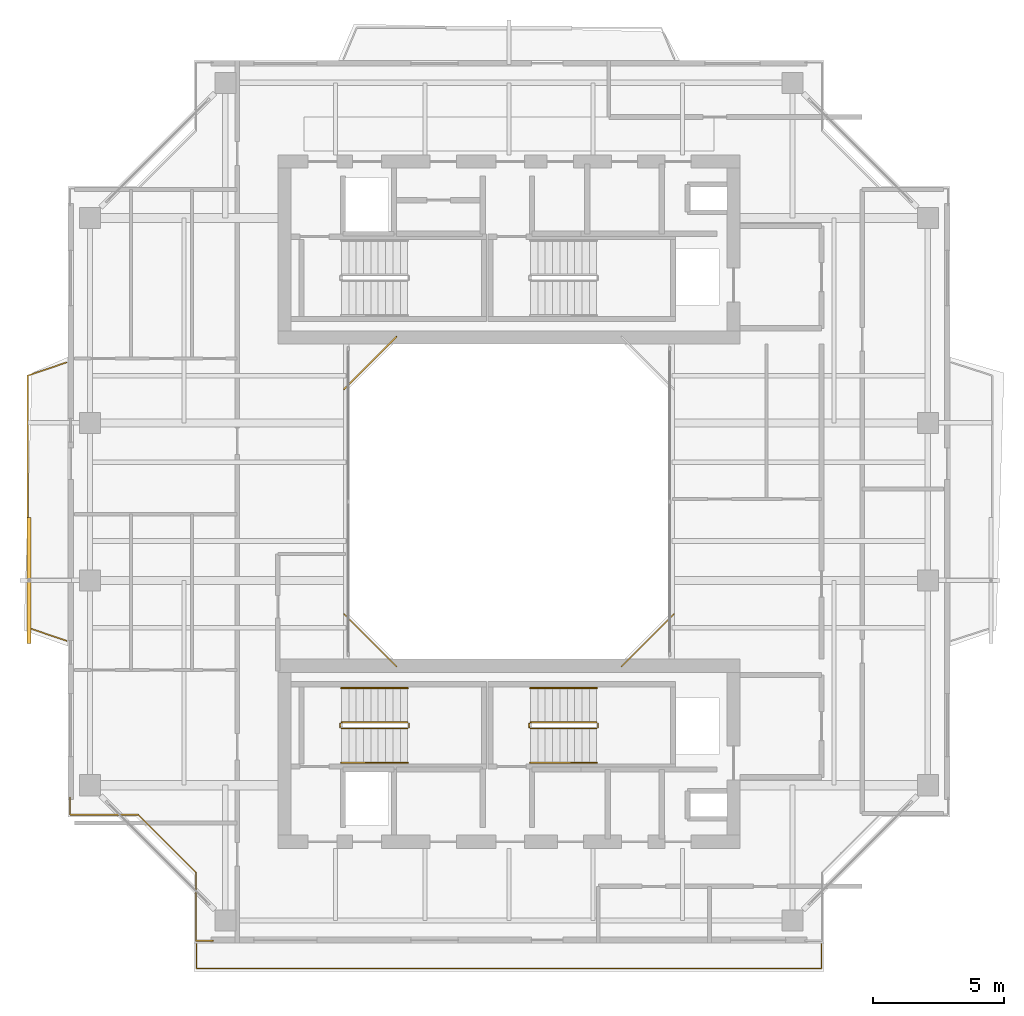
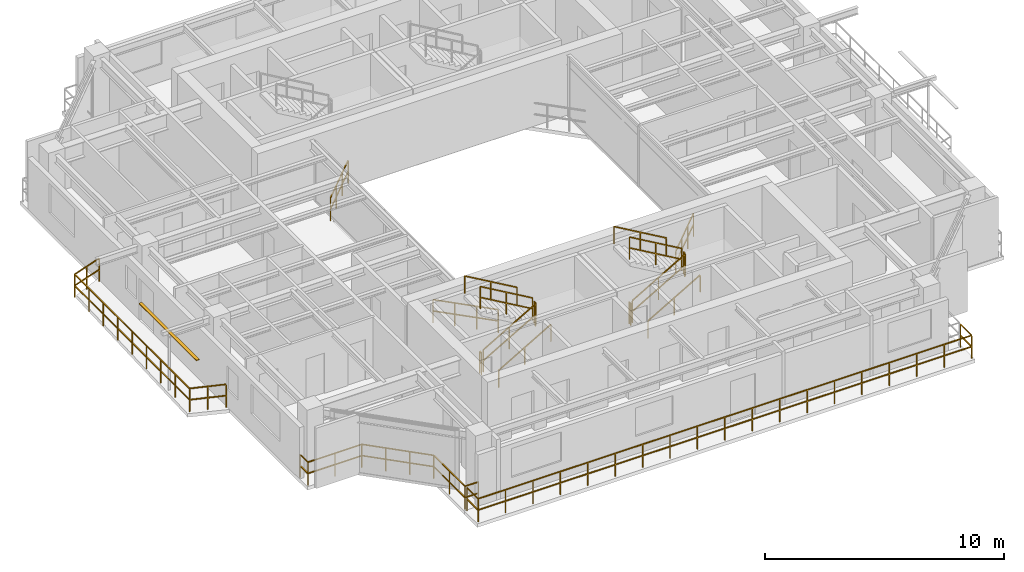
# One storey, part 14 of 16: 18 railings, 1 shading device.
"""IFC4 building model written with IfcOpenShell, lengths in metres."""

from ifc_helpers import new_model, si_unit, direction, frame, origin, origin_2d, place, context, subcontext, project, spatial, rectangle, extrude, source, transform, mapped, material, material_profile, profile_set, type_object, element, save


model = new_model("IFC4")

# Units and contexts
model_context = context("Model", 3, precision=1e-05, world=origin(), true_north=direction((0.0, 1.0)))
body_context = subcontext(model_context, "Body", "Model", "MODEL_VIEW")
ifc_project = project(units=[si_unit("LENGTHUNIT", "METRE"), si_unit("AREAUNIT", "SQUARE_METRE"), si_unit("VOLUMEUNIT", "CUBIC_METRE"), si_unit("PLANEANGLEUNIT", "RADIAN"), si_unit("MASSUNIT", "GRAM", prefix="KILO"), si_unit("THERMODYNAMICTEMPERATUREUNIT", "KELVIN"), si_unit("POWERUNIT", "WATT")], contexts=[model_context])

# Site, building, storey
site_placement = place(None, origin())
site = spatial("IfcSite", under=ifc_project, at=site_placement, CompositionType="ELEMENT")
building_placement = place(site_placement, origin())
building = spatial("IfcBuilding", under=site, at=building_placement, Name="Qiaomeng Ring Towers", CompositionType="ELEMENT")
storey_placement = place(building_placement, frame((0.0, 0.0, 190.5)))
storey = spatial("IfcBuildingStorey", under=building, at=storey_placement, Name="L55", CompositionType="ELEMENT", Elevation=190.5)

# Railings
ifc_material_1 = material(Name="Low-E pale-green laminated safety glass", Category="glass")
railing_type_1 = type_object("IfcRailingType", Name="ARC-RL-BAL1", PredefinedType="BALUSTRADE", material=ifc_material_1)
railing_1_placement = place(storey_placement, frame((23.280029296875, 16.719970703125, 0.0)))
element("IfcRailing", 1, at=railing_1_placement, inside=storey, type_object=railing_type_1, Name="L55 Balustrade ARC-BAL-WELL1-L55-1", PredefinedType="BALUSTRADE", context=body_context, shape_type="SweptSolid", body=[
    extrude(rectangle(XDim=0.048095703125, YDim=0.048095703125, at=origin_2d()), frame((0.0, 0.0, 1.17578125), z_axis=(0.707106781187, 0.707106781187, 0.0), x_axis=(-0.707106781187, 0.707106781187, 0.0)), (0.0, 0.0, 1.0), 2.828369140625),
    extrude(rectangle(XDim=0.048095703125, YDim=0.048095703125, at=origin_2d()), frame((0.0, 0.0, 0.60009765625), z_axis=(0.707106781187, 0.707106781187, 0.0), x_axis=(-0.707106781187, 0.707106781187, 0.0)), (0.0, 0.0, 1.0), 2.828369140625),
    extrude(rectangle(XDim=0.0419921875, YDim=0.0419921875, at=origin_2d()), origin(), (0.0, 0.0, 1.0), 1.15185546875),
    extrude(rectangle(XDim=0.0419921875, YDim=0.0419921875, at=origin_2d()), frame((0.666748046875, 0.666748046875, 0.0)), (0.0, 0.0, 1.0), 1.15185546875),
    extrude(rectangle(XDim=0.0419921875, YDim=0.0419921875, at=origin_2d()), frame((1.333251953125, 1.333251953125, 0.0)), (0.0, 0.0, 1.0), 1.15185546875),
    extrude(rectangle(XDim=0.0419921875, YDim=0.0419921875, at=origin_2d()), frame((2.0, 2.0, 0.0)), (0.0, 0.0, 1.0), 1.15185546875),
])
railing_2_placement = place(storey_placement, frame((14.719970703125, 29.280029296875, 0.0)))
element("IfcRailing", 2, at=railing_2_placement, inside=storey, type_object=railing_type_1, Name="L55 Balustrade ARC-BAL-WELL1-L55-3", PredefinedType="BALUSTRADE", context=body_context, shape_type="SweptSolid", body=[
    extrude(rectangle(XDim=0.048095703125, YDim=0.048095703125, at=origin_2d()), frame((0.0, 0.0, 1.17578125), z_axis=(-0.707106781187, -0.707106781187, 0.0), x_axis=(0.707106781187, -0.707106781187, 0.0)), (0.0, 0.0, 1.0), 2.828369140625),
    extrude(rectangle(XDim=0.048095703125, YDim=0.048095703125, at=origin_2d()), frame((0.0, 0.0, 0.60009765625), z_axis=(-0.707106781187, -0.707106781187, 0.0), x_axis=(0.707106781187, -0.707106781187, 0.0)), (0.0, 0.0, 1.0), 2.828369140625),
    extrude(rectangle(XDim=0.0419921875, YDim=0.0419921875, at=origin_2d()), origin(), (0.0, 0.0, 1.0), 1.15185546875),
    extrude(rectangle(XDim=0.0419921875, YDim=0.0419921875, at=origin_2d()), frame((-0.666748046875, -0.666748046875, 0.0)), (0.0, 0.0, 1.0), 1.15185546875),
    extrude(rectangle(XDim=0.0419921875, YDim=0.0419921875, at=origin_2d()), frame((-1.333251953125, -1.333251953125, 0.0)), (0.0, 0.0, 1.0), 1.15185546875),
    extrude(rectangle(XDim=0.0419921875, YDim=0.0419921875, at=origin_2d()), frame((-2.0, -2.0, 0.0)), (0.0, 0.0, 1.0), 1.15185546875),
])
railing_3_placement = place(storey_placement, frame((12.719970703125, 18.719970703125, 0.0)))
element("IfcRailing", 3, at=railing_3_placement, inside=storey, type_object=railing_type_1, Name="L55 Balustrade ARC-BAL-WELL1-L55-4", PredefinedType="BALUSTRADE", context=body_context, shape_type="SweptSolid", body=[
    extrude(rectangle(XDim=0.048095703125, YDim=0.048095703125, at=origin_2d()), frame((0.0, 0.0, 1.17578125), z_axis=(0.707106781187, -0.707106781187, 0.0), x_axis=(0.707106781187, 0.707106781187, 0.0)), (0.0, 0.0, 1.0), 2.828369140625),
    extrude(rectangle(XDim=0.048095703125, YDim=0.048095703125, at=origin_2d()), frame((0.0, 0.0, 0.60009765625), z_axis=(0.707106781187, -0.707106781187, 0.0), x_axis=(0.707106781187, 0.707106781187, 0.0)), (0.0, 0.0, 1.0), 2.828369140625),
    extrude(rectangle(XDim=0.0419921875, YDim=0.0419921875, at=origin_2d()), origin(), (0.0, 0.0, 1.0), 1.15185546875),
    extrude(rectangle(XDim=0.0419921875, YDim=0.0419921875, at=origin_2d()), frame((0.666748046875, -0.666748046875, 0.0)), (0.0, 0.0, 1.0), 1.15185546875),
    extrude(rectangle(XDim=0.0419921875, YDim=0.0419921875, at=origin_2d()), frame((1.333251953125, -1.333251953125, 0.0)), (0.0, 0.0, 1.0), 1.15185546875),
    extrude(rectangle(XDim=0.0419921875, YDim=0.0419921875, at=origin_2d()), frame((2.0, -2.0, 0.0)), (0.0, 0.0, 1.0), 1.15185546875),
])
railing_4_placement = place(storey_placement, frame((2.280029296875, 11.72998046875, 0.0)))
element("IfcRailing", 4, at=railing_4_placement, inside=storey, type_object=railing_type_1, Name="L55 Balustrade ARC-BAL-NOTCH1-L55-SW", PredefinedType="BALUSTRADE", context=body_context, shape_type="SweptSolid", body=[
    extrude(rectangle(XDim=0.048095703125, YDim=0.048095703125, at=origin_2d()), frame((0.0, 0.0, 1.17578125), z_axis=(0.0, -1.0, 0.0), x_axis=(1.0, 0.0, 0.0)), (0.0, 0.0, 1.0), 0.64990234375),
    extrude(rectangle(XDim=0.048095703125, YDim=0.048095703125, at=origin_2d()), frame((0.0, 0.0, 0.60009765625), z_axis=(0.0, -1.0, 0.0), x_axis=(1.0, 0.0, 0.0)), (0.0, 0.0, 1.0), 0.64990234375),
    extrude(rectangle(XDim=0.048095703125, YDim=0.048095703125, at=origin_2d()), frame((0.0, -0.64990234375, 1.17578125), z_axis=(1.0, 0.0, 0.0), x_axis=(0.0, 1.0, 0.0)), (0.0, 0.0, 1.0), 2.599853515625),
    extrude(rectangle(XDim=0.048095703125, YDim=0.048095703125, at=origin_2d()), frame((0.0, -0.64990234375, 0.60009765625), z_axis=(1.0, 0.0, 0.0), x_axis=(0.0, 1.0, 0.0)), (0.0, 0.0, 1.0), 2.599853515625),
    extrude(rectangle(XDim=0.048095703125, YDim=0.048095703125, at=origin_2d()), frame((2.599853515625, -0.64990234375, 1.17578125), z_axis=(0.707106781187, -0.707106781187, 0.0), x_axis=(0.707106781187, 0.707106781187, 0.0)), (0.0, 0.0, 1.0), 3.111572265625),
    extrude(rectangle(XDim=0.048095703125, YDim=0.048095703125, at=origin_2d()), frame((2.599853515625, -0.64990234375, 0.60009765625), z_axis=(0.707106781187, -0.707106781187, 0.0), x_axis=(0.707106781187, 0.707106781187, 0.0)), (0.0, 0.0, 1.0), 3.111572265625),
    extrude(rectangle(XDim=0.048095703125, YDim=0.048095703125, at=origin_2d()), frame((4.800048828125, -2.85009765625, 1.17578125), z_axis=(0.0, -1.0, 0.0), x_axis=(1.0, 0.0, 0.0)), (0.0, 0.0, 1.0), 2.599853515625),
    extrude(rectangle(XDim=0.048095703125, YDim=0.048095703125, at=origin_2d()), frame((4.800048828125, -2.85009765625, 0.60009765625), z_axis=(0.0, -1.0, 0.0), x_axis=(1.0, 0.0, 0.0)), (0.0, 0.0, 1.0), 2.599853515625),
    extrude(rectangle(XDim=0.048095703125, YDim=0.048095703125, at=origin_2d()), frame((4.800048828125, -5.449951171875, 1.17578125), z_axis=(1.0, 0.0, 0.0), x_axis=(0.0, 1.0, 0.0)), (0.0, 0.0, 1.0), 0.64990234375),
    extrude(rectangle(XDim=0.048095703125, YDim=0.048095703125, at=origin_2d()), frame((4.800048828125, -5.449951171875, 0.60009765625), z_axis=(1.0, 0.0, 0.0), x_axis=(0.0, 1.0, 0.0)), (0.0, 0.0, 1.0), 0.64990234375),
    extrude(rectangle(XDim=0.0419921875, YDim=0.0419921875, at=origin_2d()), origin(), (0.0, 0.0, 1.0), 1.15185546875),
    extrude(rectangle(XDim=0.0419921875, YDim=0.0419921875, at=origin_2d()), frame((0.0, -0.64990234375, 0.0)), (0.0, 0.0, 1.0), 1.15185546875),
    extrude(rectangle(XDim=0.0419921875, YDim=0.0419921875, at=origin_2d()), frame((1.2998046875, -0.64990234375, 0.0)), (0.0, 0.0, 1.0), 1.15185546875),
    extrude(rectangle(XDim=0.0419921875, YDim=0.0419921875, at=origin_2d()), frame((2.599853515625, -0.64990234375, 0.0)), (0.0, 0.0, 1.0), 1.15185546875),
    extrude(rectangle(XDim=0.0419921875, YDim=0.0419921875, at=origin_2d()), frame((3.333251953125, -1.38330078125, 0.0)), (0.0, 0.0, 1.0), 1.15185546875),
    extrude(rectangle(XDim=0.0419921875, YDim=0.0419921875, at=origin_2d()), frame((4.066650390625, -2.11669921875, 0.0)), (0.0, 0.0, 1.0), 1.15185546875),
    extrude(rectangle(XDim=0.0419921875, YDim=0.0419921875, at=origin_2d()), frame((4.800048828125, -2.85009765625, 0.0)), (0.0, 0.0, 1.0), 1.15185546875),
    extrude(rectangle(XDim=0.0419921875, YDim=0.0419921875, at=origin_2d()), frame((4.800048828125, -4.14990234375, 0.0)), (0.0, 0.0, 1.0), 1.15185546875),
    extrude(rectangle(XDim=0.0419921875, YDim=0.0419921875, at=origin_2d()), frame((4.800048828125, -5.449951171875, 0.0)), (0.0, 0.0, 1.0), 1.15185546875),
    extrude(rectangle(XDim=0.0419921875, YDim=0.0419921875, at=origin_2d()), frame((5.449951171875, -5.449951171875, 0.0)), (0.0, 0.0, 1.0), 1.15185546875),
])
railing_5_placement = place(storey_placement, frame((7.10009765625, 6.14990234375, 0.0)))
element("IfcRailing", 5, at=railing_5_placement, inside=storey, type_object=railing_type_1, Name="L55 Balustrade ARC-BAL-L55-SETBACK", PredefinedType="BALUSTRADE", context=body_context, shape_type="SweptSolid", body=[
    extrude(rectangle(XDim=0.048095703125, YDim=0.048095703125, at=origin_2d()), frame((0.0, 0.0, 1.17578125), z_axis=(0.0, -1.0, 0.0), x_axis=(1.0, 0.0, 0.0)), (0.0, 0.0, 1.0), 0.929931640625),
    extrude(rectangle(XDim=0.048095703125, YDim=0.048095703125, at=origin_2d()), frame((0.0, 0.0, 0.60009765625), z_axis=(0.0, -1.0, 0.0), x_axis=(1.0, 0.0, 0.0)), (0.0, 0.0, 1.0), 0.929931640625),
    extrude(rectangle(XDim=0.048095703125, YDim=0.048095703125, at=origin_2d()), frame((0.0, -0.929931640625, 1.17578125), z_axis=(1.0, 0.0, 0.0), x_axis=(0.0, 1.0, 0.0)), (0.0, 0.0, 1.0), 23.7998046875),
    extrude(rectangle(XDim=0.048095703125, YDim=0.048095703125, at=origin_2d()), frame((0.0, -0.929931640625, 0.60009765625), z_axis=(1.0, 0.0, 0.0), x_axis=(0.0, 1.0, 0.0)), (0.0, 0.0, 1.0), 23.7998046875),
    extrude(rectangle(XDim=0.048095703125, YDim=0.048095703125, at=origin_2d()), frame((23.7998046875, -0.929931640625, 1.17578125), z_axis=(0.0, 1.0, 0.0), x_axis=(-1.0, 0.0, 0.0)), (0.0, 0.0, 1.0), 0.929931640625),
    extrude(rectangle(XDim=0.048095703125, YDim=0.048095703125, at=origin_2d()), frame((23.7998046875, -0.929931640625, 0.60009765625), z_axis=(0.0, 1.0, 0.0), x_axis=(-1.0, 0.0, 0.0)), (0.0, 0.0, 1.0), 0.929931640625),
    extrude(rectangle(XDim=0.0419921875, YDim=0.0419921875, at=origin_2d()), origin(), (0.0, 0.0, 1.0), 1.15185546875),
    extrude(rectangle(XDim=0.0419921875, YDim=0.0419921875, at=origin_2d()), frame((0.0, -0.929931640625, 0.0)), (0.0, 0.0, 1.0), 1.15185546875),
    extrude(rectangle(XDim=0.0419921875, YDim=0.0419921875, at=origin_2d()), frame((1.322265625, -0.929931640625, 0.0)), (0.0, 0.0, 1.0), 1.15185546875),
    extrude(rectangle(XDim=0.0419921875, YDim=0.0419921875, at=origin_2d()), frame((2.64453125, -0.929931640625, 0.0)), (0.0, 0.0, 1.0), 1.15185546875),
    extrude(rectangle(XDim=0.0419921875, YDim=0.0419921875, at=origin_2d()), frame((3.966552734375, -0.929931640625, 0.0)), (0.0, 0.0, 1.0), 1.15185546875),
    extrude(rectangle(XDim=0.0419921875, YDim=0.0419921875, at=origin_2d()), frame((5.288818359375, -0.929931640625, 0.0)), (0.0, 0.0, 1.0), 1.15185546875),
    extrude(rectangle(XDim=0.0419921875, YDim=0.0419921875, at=origin_2d()), frame((6.611083984375, -0.929931640625, 0.0)), (0.0, 0.0, 1.0), 1.15185546875),
    extrude(rectangle(XDim=0.0419921875, YDim=0.0419921875, at=origin_2d()), frame((7.933349609375, -0.929931640625, 0.0)), (0.0, 0.0, 1.0), 1.15185546875),
    extrude(rectangle(XDim=0.0419921875, YDim=0.0419921875, at=origin_2d()), frame((9.25537109375, -0.929931640625, 0.0)), (0.0, 0.0, 1.0), 1.15185546875),
    extrude(rectangle(XDim=0.0419921875, YDim=0.0419921875, at=origin_2d()), frame((10.57763671875, -0.929931640625, 0.0)), (0.0, 0.0, 1.0), 1.15185546875),
    extrude(rectangle(XDim=0.0419921875, YDim=0.0419921875, at=origin_2d()), frame((11.89990234375, -0.929931640625, 0.0)), (0.0, 0.0, 1.0), 1.15185546875),
    extrude(rectangle(XDim=0.0419921875, YDim=0.0419921875, at=origin_2d()), frame((13.22216796875, -0.929931640625, 0.0)), (0.0, 0.0, 1.0), 1.15185546875),
    extrude(rectangle(XDim=0.0419921875, YDim=0.0419921875, at=origin_2d()), frame((14.54443359375, -0.929931640625, 0.0)), (0.0, 0.0, 1.0), 1.15185546875),
    extrude(rectangle(XDim=0.0419921875, YDim=0.0419921875, at=origin_2d()), frame((15.866455078125, -0.929931640625, 0.0)), (0.0, 0.0, 1.0), 1.15185546875),
    extrude(rectangle(XDim=0.0419921875, YDim=0.0419921875, at=origin_2d()), frame((17.188720703125, -0.929931640625, 0.0)), (0.0, 0.0, 1.0), 1.15185546875),
    extrude(rectangle(XDim=0.0419921875, YDim=0.0419921875, at=origin_2d()), frame((18.510986328125, -0.929931640625, 0.0)), (0.0, 0.0, 1.0), 1.15185546875),
    extrude(rectangle(XDim=0.0419921875, YDim=0.0419921875, at=origin_2d()), frame((19.833251953125, -0.929931640625, 0.0)), (0.0, 0.0, 1.0), 1.15185546875),
    extrude(rectangle(XDim=0.0419921875, YDim=0.0419921875, at=origin_2d()), frame((21.1552734375, -0.929931640625, 0.0)), (0.0, 0.0, 1.0), 1.15185546875),
    extrude(rectangle(XDim=0.0419921875, YDim=0.0419921875, at=origin_2d()), frame((22.4775390625, -0.929931640625, 0.0)), (0.0, 0.0, 1.0), 1.15185546875),
    extrude(rectangle(XDim=0.0419921875, YDim=0.0419921875, at=origin_2d()), frame((23.7998046875, -0.929931640625, 0.0)), (0.0, 0.0, 1.0), 1.15185546875),
    extrude(rectangle(XDim=0.0419921875, YDim=0.0419921875, at=origin_2d()), frame((23.7998046875, 0.0, 0.0)), (0.0, 0.0, 1.0), 1.15185546875),
])
railing_6_placement = place(storey_placement, frame((2.14990234375, 17.699951171875, 0.0)))
element("IfcRailing", 6, at=railing_6_placement, inside=storey, type_object=railing_type_1, Name="L55 Balustrade ARC-BAL-L55-T1-W", PredefinedType="BALUSTRADE", context=body_context, shape_type="SweptSolid", body=[
    extrude(rectangle(XDim=0.048095703125, YDim=0.048095703125, at=origin_2d()), frame((0.0, 0.0, 1.17578125), z_axis=(-0.946731524739, 0.322023943309, 0.0), x_axis=(-0.322023943309, -0.946731524739, 0.0)), (0.0, 0.0, 1.0), 1.552734375),
    extrude(rectangle(XDim=0.048095703125, YDim=0.048095703125, at=origin_2d()), frame((0.0, 0.0, 0.60009765625), z_axis=(-0.946731524739, 0.322023943309, 0.0), x_axis=(-0.322023943309, -0.946731524739, 0.0)), (0.0, 0.0, 1.0), 1.552734375),
    extrude(rectangle(XDim=0.048095703125, YDim=0.048095703125, at=origin_2d()), frame((-1.469970703125, 0.5, 1.17578125), z_axis=(0.0, 1.0, 0.0), x_axis=(-1.0, 0.0, 0.0)), (0.0, 0.0, 1.0), 9.60009765625),
    extrude(rectangle(XDim=0.048095703125, YDim=0.048095703125, at=origin_2d()), frame((-1.469970703125, 0.5, 0.60009765625), z_axis=(0.0, 1.0, 0.0), x_axis=(-1.0, 0.0, 0.0)), (0.0, 0.0, 1.0), 9.60009765625),
    extrude(rectangle(XDim=0.048095703125, YDim=0.048095703125, at=origin_2d()), frame((-1.469970703125, 10.10009765625, 1.17578125), z_axis=(0.946731524739, 0.322023943309, 0.0), x_axis=(-0.322023943309, 0.946731524739, 0.0)), (0.0, 0.0, 1.0), 1.552734375),
    extrude(rectangle(XDim=0.048095703125, YDim=0.048095703125, at=origin_2d()), frame((-1.469970703125, 10.10009765625, 0.60009765625), z_axis=(0.946731524739, 0.322023943309, 0.0), x_axis=(-0.322023943309, 0.946731524739, 0.0)), (0.0, 0.0, 1.0), 1.552734375),
    extrude(rectangle(XDim=0.0419921875, YDim=0.0419921875, at=origin_2d()), origin(), (0.0, 0.0, 1.0), 1.15185546875),
    extrude(rectangle(XDim=0.0419921875, YDim=0.0419921875, at=origin_2d()), frame((-0.73486328125, 0.25, 0.0)), (0.0, 0.0, 1.0), 1.15185546875),
    extrude(rectangle(XDim=0.0419921875, YDim=0.0419921875, at=origin_2d()), frame((-1.469970703125, 0.5, 0.0)), (0.0, 0.0, 1.0), 1.15185546875),
    extrude(rectangle(XDim=0.0419921875, YDim=0.0419921875, at=origin_2d()), frame((-1.469970703125, 1.699951171875, 0.0)), (0.0, 0.0, 1.0), 1.15185546875),
    extrude(rectangle(XDim=0.0419921875, YDim=0.0419921875, at=origin_2d()), frame((-1.469970703125, 2.89990234375, 0.0)), (0.0, 0.0, 1.0), 1.15185546875),
    extrude(rectangle(XDim=0.0419921875, YDim=0.0419921875, at=origin_2d()), frame((-1.469970703125, 4.10009765625, 0.0)), (0.0, 0.0, 1.0), 1.15185546875),
    extrude(rectangle(XDim=0.0419921875, YDim=0.0419921875, at=origin_2d()), frame((-1.469970703125, 5.300048828125, 0.0)), (0.0, 0.0, 1.0), 1.15185546875),
    extrude(rectangle(XDim=0.0419921875, YDim=0.0419921875, at=origin_2d()), frame((-1.469970703125, 6.5, 0.0)), (0.0, 0.0, 1.0), 1.15185546875),
    extrude(rectangle(XDim=0.0419921875, YDim=0.0419921875, at=origin_2d()), frame((-1.469970703125, 7.7001953125, 0.0)), (0.0, 0.0, 1.0), 1.15185546875),
    extrude(rectangle(XDim=0.0419921875, YDim=0.0419921875, at=origin_2d()), frame((-1.469970703125, 8.900146484375, 0.0)), (0.0, 0.0, 1.0), 1.15185546875),
    extrude(rectangle(XDim=0.0419921875, YDim=0.0419921875, at=origin_2d()), frame((-1.469970703125, 10.10009765625, 0.0)), (0.0, 0.0, 1.0), 1.15185546875),
    extrude(rectangle(XDim=0.0419921875, YDim=0.0419921875, at=origin_2d()), frame((-0.73486328125, 10.35009765625, 0.0)), (0.0, 0.0, 1.0), 1.15185546875),
    extrude(rectangle(XDim=0.0419921875, YDim=0.0419921875, at=origin_2d()), frame((0.0, 10.60009765625, 0.0)), (0.0, 0.0, 1.0), 1.15185546875),
])
ifc_material_2 = material(Name="Galvanised steel", Category="steel")
railing_type_2 = type_object("IfcRailingType", Name="ARC-RL-GUARD", PredefinedType="GUARDRAIL", material=ifc_material_2)
railing_7_placement = place(storey_placement, frame((12.6201171875, 14.360107421875, 0.16259765625)))
element("IfcRailing", 7, at=railing_7_placement, inside=storey, type_object=railing_type_2, Name="L55 ST3 stair guard 1", PredefinedType="GUARDRAIL", context=body_context, shape_type="SweptSolid", body=[
    extrude(rectangle(XDim=0.048095703125, YDim=0.048095703125, at=origin_2d()), frame((0.0, 0.0, 1.1259765625), z_axis=(0.864892226395, 0.0, 0.501957604506), x_axis=(0.0, 1.0, 0.0)), (0.0, 0.0, 1.0), 2.913330078125),
    extrude(rectangle(XDim=0.048095703125, YDim=0.048095703125, at=origin_2d()), frame((0.0, 0.0, 0.574951171875), z_axis=(0.864892226395, 0.0, 0.501957604506), x_axis=(0.0, 1.0, 0.0)), (0.0, 0.0, 1.0), 2.913330078125),
    extrude(rectangle(XDim=0.0419921875, YDim=0.0419921875, at=origin_2d()), origin(), (0.0, 0.0, 1.0), 1.101806640625),
    extrude(rectangle(XDim=0.0419921875, YDim=0.0419921875, at=origin_2d()), frame((1.259765625, 0.0, 0.731201171875)), (0.0, 0.0, 1.0), 1.101806640625),
    extrude(rectangle(XDim=0.0419921875, YDim=0.0419921875, at=origin_2d()), frame((2.519775390625, 0.0, 1.46240234375)), (0.0, 0.0, 1.0), 1.101806640625),
])
railing_8_placement = place(storey_placement, frame((15.18994140625, 14.409912109375, 1.625)))
element("IfcRailing", 8, at=railing_8_placement, inside=storey, type_object=railing_type_2, Name="L55 ST3 stair guard 2", PredefinedType="GUARDRAIL", context=body_context, shape_type="SweptSolid", body=[
    extrude(rectangle(XDim=0.048095703125, YDim=0.048095703125, at=origin_2d()), frame((0.0, 0.0, 1.1259765625), z_axis=(0.0, 1.0, 0.0), x_axis=(-1.0, 0.0, 0.0)), (0.0, 0.0, 1.0), 0.14013671875),
    extrude(rectangle(XDim=0.048095703125, YDim=0.048095703125, at=origin_2d()), frame((0.0, 0.0, 0.574951171875), z_axis=(0.0, 1.0, 0.0), x_axis=(-1.0, 0.0, 0.0)), (0.0, 0.0, 1.0), 0.14013671875),
    extrude(rectangle(XDim=0.0419921875, YDim=0.0419921875, at=origin_2d()), origin(), (0.0, 0.0, 1.0), 1.101806640625),
    extrude(rectangle(XDim=0.0419921875, YDim=0.0419921875, at=origin_2d()), frame((0.0, 0.14013671875, 0.0)), (0.0, 0.0, 1.0), 1.101806640625),
])
railing_9_placement = place(storey_placement, frame((15.139892578125, 14.60009765625, 1.78759765625)))
element("IfcRailing", 9, at=railing_9_placement, inside=storey, type_object=railing_type_2, Name="L55 ST3 stair guard 3", PredefinedType="GUARDRAIL", context=body_context, shape_type="SweptSolid", body=[
    extrude(rectangle(XDim=0.048095703125, YDim=0.048095703125, at=origin_2d()), frame((0.0, 0.0, 1.1259765625), z_axis=(-0.864892226395, 0.0, 0.501957604506), x_axis=(0.0, -1.0, 0.0)), (0.0, 0.0, 1.0), 2.913330078125),
    extrude(rectangle(XDim=0.048095703125, YDim=0.048095703125, at=origin_2d()), frame((0.0, 0.0, 0.574951171875), z_axis=(-0.864892226395, 0.0, 0.501957604506), x_axis=(0.0, -1.0, 0.0)), (0.0, 0.0, 1.0), 2.913330078125),
    extrude(rectangle(XDim=0.0419921875, YDim=0.0419921875, at=origin_2d()), origin(), (0.0, 0.0, 1.0), 1.101806640625),
    extrude(rectangle(XDim=0.0419921875, YDim=0.0419921875, at=origin_2d()), frame((-1.259765625, 0.0, 0.731201171875)), (0.0, 0.0, 1.0), 1.101806640625),
    extrude(rectangle(XDim=0.0419921875, YDim=0.0419921875, at=origin_2d()), frame((-2.519775390625, 0.0, 1.46240234375)), (0.0, 0.0, 1.0), 1.101806640625),
])
railing_10_placement = place(storey_placement, frame((12.570068359375, 14.409912109375, 0.0)))
element("IfcRailing", 10, at=railing_10_placement, inside=storey, type_object=railing_type_2, Name="L55 ST3 stair guard 4", PredefinedType="GUARDRAIL", context=body_context, shape_type="SweptSolid", body=[
    extrude(rectangle(XDim=0.048095703125, YDim=0.048095703125, at=origin_2d()), frame((0.0, 0.0, 1.1259765625), z_axis=(0.0, 1.0, 0.0), x_axis=(-1.0, 0.0, 0.0)), (0.0, 0.0, 1.0), 0.14013671875),
    extrude(rectangle(XDim=0.048095703125, YDim=0.048095703125, at=origin_2d()), frame((0.0, 0.0, 0.574951171875), z_axis=(0.0, 1.0, 0.0), x_axis=(-1.0, 0.0, 0.0)), (0.0, 0.0, 1.0), 0.14013671875),
    extrude(rectangle(XDim=0.0419921875, YDim=0.0419921875, at=origin_2d()), origin(), (0.0, 0.0, 1.0), 1.101806640625),
    extrude(rectangle(XDim=0.0419921875, YDim=0.0419921875, at=origin_2d()), frame((0.0, 0.14013671875, 0.0)), (0.0, 0.0, 1.0), 1.101806640625),
])
railing_11_placement = place(storey_placement, frame((19.820068359375, 14.360107421875, 0.16259765625)))
element("IfcRailing", 11, at=railing_11_placement, inside=storey, type_object=railing_type_2, Name="L55 ST4 stair guard 1", PredefinedType="GUARDRAIL", context=body_context, shape_type="SweptSolid", body=[
    extrude(rectangle(XDim=0.048095703125, YDim=0.048095703125, at=origin_2d()), frame((0.0, 0.0, 1.1259765625), z_axis=(0.864913338283, 0.0, 0.50192122615), x_axis=(0.0, 1.0, 0.0)), (0.0, 0.0, 1.0), 2.91357421875),
    extrude(rectangle(XDim=0.048095703125, YDim=0.048095703125, at=origin_2d()), frame((0.0, 0.0, 0.574951171875), z_axis=(0.864913338283, 0.0, 0.50192122615), x_axis=(0.0, 1.0, 0.0)), (0.0, 0.0, 1.0), 2.91357421875),
    extrude(rectangle(XDim=0.0419921875, YDim=0.0419921875, at=origin_2d()), origin(), (0.0, 0.0, 1.0), 1.101806640625),
    extrude(rectangle(XDim=0.0419921875, YDim=0.0419921875, at=origin_2d()), frame((1.260009765625, 0.0, 0.731201171875)), (0.0, 0.0, 1.0), 1.101806640625),
    extrude(rectangle(XDim=0.0419921875, YDim=0.0419921875, at=origin_2d()), frame((2.52001953125, 0.0, 1.46240234375)), (0.0, 0.0, 1.0), 1.101806640625),
])
railing_12_placement = place(storey_placement, frame((22.389892578125, 14.409912109375, 1.625)))
element("IfcRailing", 12, at=railing_12_placement, inside=storey, type_object=railing_type_2, Name="L55 ST4 stair guard 2", PredefinedType="GUARDRAIL", context=body_context, shape_type="SweptSolid", body=[
    extrude(rectangle(XDim=0.048095703125, YDim=0.048095703125, at=origin_2d()), frame((0.0, 0.0, 1.1259765625), z_axis=(0.0, 1.0, 0.0), x_axis=(-1.0, 0.0, 0.0)), (0.0, 0.0, 1.0), 0.14013671875),
    extrude(rectangle(XDim=0.048095703125, YDim=0.048095703125, at=origin_2d()), frame((0.0, 0.0, 0.574951171875), z_axis=(0.0, 1.0, 0.0), x_axis=(-1.0, 0.0, 0.0)), (0.0, 0.0, 1.0), 0.14013671875),
    extrude(rectangle(XDim=0.0419921875, YDim=0.0419921875, at=origin_2d()), origin(), (0.0, 0.0, 1.0), 1.101806640625),
    extrude(rectangle(XDim=0.0419921875, YDim=0.0419921875, at=origin_2d()), frame((0.0, 0.14013671875, 0.0)), (0.0, 0.0, 1.0), 1.101806640625),
])
railing_13_placement = place(storey_placement, frame((22.340087890625, 14.60009765625, 1.78759765625)))
element("IfcRailing", 13, at=railing_13_placement, inside=storey, type_object=railing_type_2, Name="L55 ST4 stair guard 3", PredefinedType="GUARDRAIL", context=body_context, shape_type="SweptSolid", body=[
    extrude(rectangle(XDim=0.048095703125, YDim=0.048095703125, at=origin_2d()), frame((0.0, 0.0, 1.1259765625), z_axis=(-0.864913338283, 0.0, 0.50192122615), x_axis=(0.0, -1.0, 0.0)), (0.0, 0.0, 1.0), 2.91357421875),
    extrude(rectangle(XDim=0.048095703125, YDim=0.048095703125, at=origin_2d()), frame((0.0, 0.0, 0.574951171875), z_axis=(-0.864913338283, 0.0, 0.50192122615), x_axis=(0.0, -1.0, 0.0)), (0.0, 0.0, 1.0), 2.91357421875),
    extrude(rectangle(XDim=0.0419921875, YDim=0.0419921875, at=origin_2d()), origin(), (0.0, 0.0, 1.0), 1.101806640625),
    extrude(rectangle(XDim=0.0419921875, YDim=0.0419921875, at=origin_2d()), frame((-1.260009765625, 0.0, 0.731201171875)), (0.0, 0.0, 1.0), 1.101806640625),
    extrude(rectangle(XDim=0.0419921875, YDim=0.0419921875, at=origin_2d()), frame((-2.52001953125, 0.0, 1.46240234375)), (0.0, 0.0, 1.0), 1.101806640625),
])
railing_14_placement = place(storey_placement, frame((19.77001953125, 14.409912109375, 0.0)))
element("IfcRailing", 14, at=railing_14_placement, inside=storey, type_object=railing_type_2, Name="L55 ST4 stair guard 4", PredefinedType="GUARDRAIL", context=body_context, shape_type="SweptSolid", body=[
    extrude(rectangle(XDim=0.048095703125, YDim=0.048095703125, at=origin_2d()), frame((0.0, 0.0, 1.1259765625), z_axis=(0.0, 1.0, 0.0), x_axis=(-1.0, 0.0, 0.0)), (0.0, 0.0, 1.0), 0.14013671875),
    extrude(rectangle(XDim=0.048095703125, YDim=0.048095703125, at=origin_2d()), frame((0.0, 0.0, 0.574951171875), z_axis=(0.0, 1.0, 0.0), x_axis=(-1.0, 0.0, 0.0)), (0.0, 0.0, 1.0), 0.14013671875),
    extrude(rectangle(XDim=0.0419921875, YDim=0.0419921875, at=origin_2d()), origin(), (0.0, 0.0, 1.0), 1.101806640625),
    extrude(rectangle(XDim=0.0419921875, YDim=0.0419921875, at=origin_2d()), frame((0.0, 0.14013671875, 0.0)), (0.0, 0.0, 1.0), 1.101806640625),
])
ifc_material_3 = material(Name="Stainless steel 316", Category="steel")
railing_type_3 = type_object("IfcRailingType", Name="ARC-RL-HAND", PredefinedType="HANDRAIL", material=ifc_material_3)
railing_15_placement = place(storey_placement, frame((12.6201171875, 13.06005859375, 0.16259765625)))
element("IfcRailing", 15, at=railing_15_placement, inside=storey, type_object=railing_type_3, Name="L55 ST3 stair handrail 1", PredefinedType="HANDRAIL", context=body_context, shape_type="SweptSolid", body=[
    extrude(rectangle(XDim=0.048095703125, YDim=0.048095703125, at=origin_2d()), frame((0.0, 0.0, 0.8759765625), z_axis=(0.864892226395, 0.0, 0.501957604506), x_axis=(0.0, 1.0, 0.0)), (0.0, 0.0, 1.0), 2.913330078125),
    extrude(rectangle(XDim=0.0419921875, YDim=0.0419921875, at=origin_2d()), origin(), (0.0, 0.0, 1.0), 0.851806640625),
    extrude(rectangle(XDim=0.0419921875, YDim=0.0419921875, at=origin_2d()), frame((1.259765625, 0.0, 0.731201171875)), (0.0, 0.0, 1.0), 0.851806640625),
    extrude(rectangle(XDim=0.0419921875, YDim=0.0419921875, at=origin_2d()), frame((2.519775390625, 0.0, 1.46240234375)), (0.0, 0.0, 1.0), 0.851806640625),
])
railing_16_placement = place(storey_placement, frame((15.139892578125, 15.89990234375, 1.78759765625)))
element("IfcRailing", 16, at=railing_16_placement, inside=storey, type_object=railing_type_3, Name="L55 ST3 stair handrail 2", PredefinedType="HANDRAIL", context=body_context, shape_type="SweptSolid", body=[
    extrude(rectangle(XDim=0.048095703125, YDim=0.048095703125, at=origin_2d()), frame((0.0, 0.0, 0.8759765625), z_axis=(-0.864892226395, 0.0, 0.501957604506), x_axis=(0.0, -1.0, 0.0)), (0.0, 0.0, 1.0), 2.913330078125),
    extrude(rectangle(XDim=0.0419921875, YDim=0.0419921875, at=origin_2d()), origin(), (0.0, 0.0, 1.0), 0.851806640625),
    extrude(rectangle(XDim=0.0419921875, YDim=0.0419921875, at=origin_2d()), frame((-1.259765625, 0.0, 0.731201171875)), (0.0, 0.0, 1.0), 0.851806640625),
    extrude(rectangle(XDim=0.0419921875, YDim=0.0419921875, at=origin_2d()), frame((-2.519775390625, 0.0, 1.46240234375)), (0.0, 0.0, 1.0), 0.851806640625),
])
railing_17_placement = place(storey_placement, frame((19.820068359375, 13.06005859375, 0.16259765625)))
element("IfcRailing", 17, at=railing_17_placement, inside=storey, type_object=railing_type_3, Name="L55 ST4 stair handrail 1", PredefinedType="HANDRAIL", context=body_context, shape_type="SweptSolid", body=[
    extrude(rectangle(XDim=0.048095703125, YDim=0.048095703125, at=origin_2d()), frame((0.0, 0.0, 0.8759765625), z_axis=(0.864913338283, 0.0, 0.50192122615), x_axis=(0.0, 1.0, 0.0)), (0.0, 0.0, 1.0), 2.91357421875),
    extrude(rectangle(XDim=0.0419921875, YDim=0.0419921875, at=origin_2d()), origin(), (0.0, 0.0, 1.0), 0.851806640625),
    extrude(rectangle(XDim=0.0419921875, YDim=0.0419921875, at=origin_2d()), frame((1.260009765625, 0.0, 0.731201171875)), (0.0, 0.0, 1.0), 0.851806640625),
    extrude(rectangle(XDim=0.0419921875, YDim=0.0419921875, at=origin_2d()), frame((2.52001953125, 0.0, 1.46240234375)), (0.0, 0.0, 1.0), 0.851806640625),
])
railing_18_placement = place(storey_placement, frame((22.340087890625, 15.89990234375, 1.78759765625)))
element("IfcRailing", 18, at=railing_18_placement, inside=storey, type_object=railing_type_3, Name="L55 ST4 stair handrail 2", PredefinedType="HANDRAIL", context=body_context, shape_type="SweptSolid", body=[
    extrude(rectangle(XDim=0.048095703125, YDim=0.048095703125, at=origin_2d()), frame((0.0, 0.0, 0.8759765625), z_axis=(-0.864913338283, 0.0, 0.50192122615), x_axis=(0.0, -1.0, 0.0)), (0.0, 0.0, 1.0), 2.91357421875),
    extrude(rectangle(XDim=0.0419921875, YDim=0.0419921875, at=origin_2d()), origin(), (0.0, 0.0, 1.0), 0.851806640625),
    extrude(rectangle(XDim=0.0419921875, YDim=0.0419921875, at=origin_2d()), frame((-1.260009765625, 0.0, 0.731201171875)), (0.0, 0.0, 1.0), 0.851806640625),
    extrude(rectangle(XDim=0.0419921875, YDim=0.0419921875, at=origin_2d()), frame((-2.52001953125, 0.0, 1.46240234375)), (0.0, 0.0, 1.0), 0.851806640625),
])

# Shading device
ifc_material_4 = material(Name="Fluorocarbon dark-grey aluminium", Category="aluminium")
ifc_material_profile = material_profile(ifc_material_4, rectangle(XDim=0.14990234375, YDim=0.034912109375, at=origin_2d()), Name="LV BLADE 150x35")
ifc_profile_set = profile_set([ifc_material_profile], Name="Fluorocarbon dark-grey aluminium")
shading_device_type = type_object("IfcShadingDeviceType", Name="ARC-SHD-SUN", PredefinedType="AWNING", material=ifc_profile_set)
shared_shape = source(origin(), body_context, "Body", "SweptSolid", [
    extrude(rectangle(XDim=0.14990234375, YDim=0.034912109375, at=origin_2d()), origin(), (0.0, 0.0, 1.0), 4.7998046875),
])
shading_device_placement = place(storey_placement, frame((0.72998046875, 17.60009765625, 2.969970703125), z_axis=(0.0, 1.0, 0.0), x_axis=(-1.0, 0.0, 0.0)))
element("IfcShadingDevice", 19, at=shading_device_placement, inside=storey, type_object=shading_device_type, Name="L55 Ventilated Outer-Skin Sunshade W", PredefinedType="AWNING", context=body_context, shape_type="MappedRepresentation", body=[
    mapped(shared_shape, transform((0.0, 0.0, 0.0), x_axis=(1.0, 0.0, 0.0), y_axis=(0.0, 1.0, 0.0), z_axis=(0.0, 0.0, 1.0), scale=1.0)),
])

save(model, "model.ifc")
